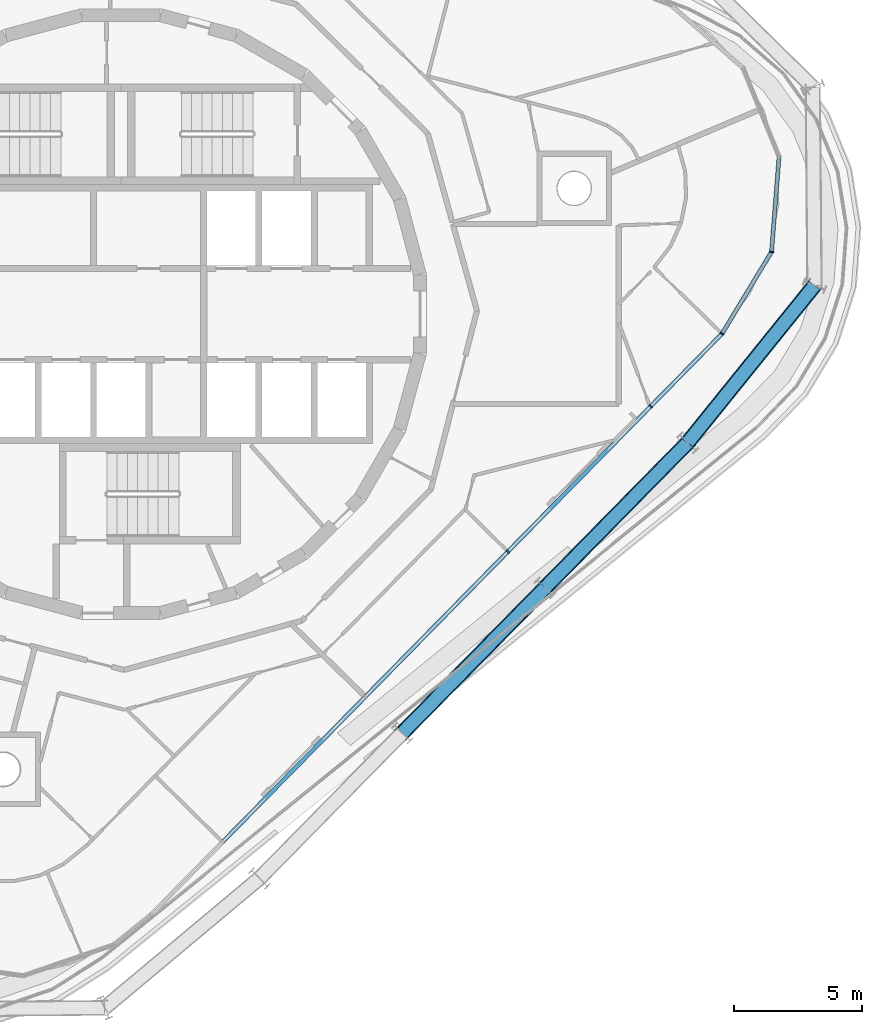
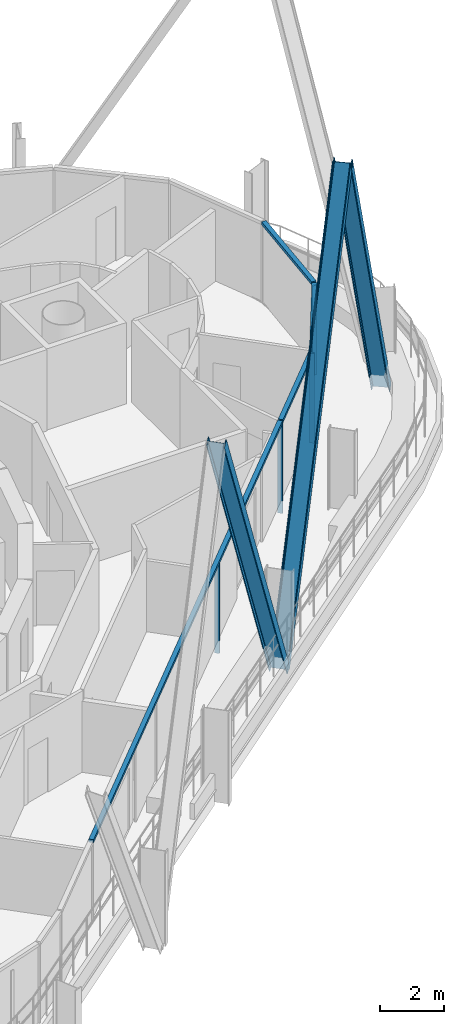
# One storey, part 4 of 18: 11 members, 2 elements without a shape of their own.
"""IFC4 building model written with IfcOpenShell, lengths in metres."""

from ifc_helpers import new_model, si_unit, direction, frame, origin, origin_2d, place, context, subcontext, project, spatial, rectangle, i_section, extrude, material, layer, layer_set, material_profile, profile_set, type_object, element, aggregate, save


model = new_model("IFC4")

# Units and contexts
model_context = context("Model", 3, precision=1e-05, world=origin(), true_north=direction((0.0, 1.0)))
body_context = subcontext(model_context, "Body", "Model", "MODEL_VIEW")
ifc_project = project(units=[si_unit("LENGTHUNIT", "METRE"), si_unit("AREAUNIT", "SQUARE_METRE"), si_unit("VOLUMEUNIT", "CUBIC_METRE"), si_unit("PLANEANGLEUNIT", "RADIAN"), si_unit("MASSUNIT", "GRAM", prefix="KILO")], contexts=[model_context])

# Site, building, storey
site_placement = place(None, origin())
site = spatial("IfcSite", under=ifc_project, at=site_placement, CompositionType="ELEMENT")
building_placement = place(site_placement, origin())
building = spatial("IfcBuilding", under=site, at=building_placement, Name="Spindle Arch Residences", CompositionType="ELEMENT")
storey_placement = place(building_placement, frame((0.0, 0.0, 298.199951171875)))
storey = spatial("IfcBuildingStorey", under=building, at=storey_placement, Name="L76", CompositionType="ELEMENT", Elevation=298.199951171875)

# Curtain wall, members
ifc_material_1 = material(Name="Aluminium bronze unitised frame with tinted glass", Category="aluminium")
ifc_layer_1 = layer(ifc_material_1, 0.159912109375)
ifc_layer_set_1 = layer_set([ifc_layer_1], Name="CW-D corner wall on the fillet arcs")
curtain_wall_type_1 = type_object("IfcCurtainWallType", Name="CW-D corner wall on the fillet arcs", PredefinedType="NOTDEFINED", material=ifc_layer_set_1)
curtain_wall_1_placement = place(storey_placement, origin())
curtain_wall_1 = element("IfcCurtainWall", 1, at=curtain_wall_1_placement, inside=storey, type_object=curtain_wall_type_1, Name="CW-D L76 run 1", PredefinedType="NOTDEFINED")
ifc_material_2 = material(Name="Aluminium bronze anodised mullion", Category="aluminium")
ifc_material_profile_1 = material_profile(ifc_material_2, rectangle(XDim=0.159912109375, YDim=0.06005859375, at=origin_2d()), Name="MU 60x160")
ifc_profile_set_1 = profile_set([ifc_material_profile_1], Name="Aluminium bronze anodised mullion")
member_type_1 = type_object("IfcMemberType", Name="Bronze mullion 60x160", PredefinedType="MULLION", material=ifc_profile_set_1)
member_1_placement = place(storey_placement, frame((20.642333984375, -3.597412109375, -0.449951171875), z_axis=(0.0, 0.0, 1.0), x_axis=(-0.713250449154, 0.7009092643, 0.0)))
member_1 = element("IfcMember", 2, at=member_1_placement, type_object=member_type_1, Name="CW-D mullion 00", PredefinedType="MULLION", context=body_context, shape_type="SweptSolid", body=[
    extrude(rectangle(XDim=0.159912109375, YDim=0.06005859375, at=origin_2d()), origin(), (0.0, 0.0, 1.0), 3.449951171875),
])
member_2_placement = place(storey_placement, frame((23.42578125, -0.76513671875, -0.449951171875), z_axis=(0.0, 0.0, 1.0), x_axis=(-0.855665492936, 0.517529288252, 0.0)))
member_2 = element("IfcMember", 3, at=member_2_placement, type_object=member_type_1, Name="CW-D mullion 01", PredefinedType="MULLION", context=body_context, shape_type="SweptSolid", body=[
    extrude(rectangle(XDim=0.159912109375, YDim=0.06005859375, at=origin_2d()), origin(), (0.0, 0.0, 1.0), 3.449951171875),
])
member_3_placement = place(storey_placement, frame((25.3544921875, 2.423828125, -0.449951171875), z_axis=(0.0, 0.0, 1.0), x_axis=(-0.996917334032, 0.078459091935, 0.0)))
member_3 = element("IfcMember", 4, at=member_3_placement, type_object=member_type_1, Name="CW-D mullion 02", PredefinedType="MULLION", context=body_context, shape_type="SweptSolid", body=[
    extrude(rectangle(XDim=0.159912109375, YDim=0.06005859375, at=origin_2d()), origin(), (0.0, 0.0, 1.0), 3.449951171875),
])

# Curtain wall, member
ifc_material_3 = material(Name="Aluminium bronze unitised frame with tinted glass", Category="aluminium")
ifc_layer_2 = layer(ifc_material_3, 0.159912109375)
ifc_layer_set_2 = layer_set([ifc_layer_2], Name="CW-C typical residential unitised wall")
curtain_wall_type_2 = type_object("IfcCurtainWallType", Name="CW-C typical residential unitised wall", PredefinedType="NOTDEFINED", material=ifc_layer_set_2)
curtain_wall_2_placement = place(storey_placement, origin())
curtain_wall_2 = element("IfcCurtainWall", 5, at=curtain_wall_2_placement, inside=storey, type_object=curtain_wall_type_2, Name="CW-C L76 run 6", PredefinedType="NOTDEFINED")
member_4_placement = place(storey_placement, frame((15.08056640625, -9.257080078125, -0.449951171875), z_axis=(0.0, 0.0, 1.0), x_axis=(-0.713250449154, 0.7009092643, 0.0)))
member_4 = element("IfcMember", 6, at=member_4_placement, type_object=member_type_1, Name="CW-C mullion 00", PredefinedType="MULLION", context=body_context, shape_type="SweptSolid", body=[
    extrude(rectangle(XDim=0.159912109375, YDim=0.06005859375, at=origin_2d()), origin(), (0.0, 0.0, 1.0), 3.449951171875),
])

# Member
ifc_material_4 = material(Name="Aluminium bronze anodised transom", Category="aluminium")
ifc_material_profile_2 = material_profile(ifc_material_4, rectangle(XDim=0.159912109375, YDim=0.1201171875, at=origin_2d()), Name="TR 120x160")
ifc_profile_set_2 = profile_set([ifc_material_profile_2], Name="Aluminium bronze anodised transom")
member_type_2 = type_object("IfcMemberType", Name="Bronze transom 120x160", PredefinedType="USERDEFINED", material=ifc_profile_set_2)
member_5_placement = place(storey_placement, frame((20.663330078125, -3.575927734375, 3.06005859375), z_axis=(0.70089977121, 0.713259777863, 0.0), x_axis=(-0.713259777863, 0.70089977121, 0.0)))
member_5 = element("IfcMember", 7, at=member_5_placement, type_object=member_type_2, Name="CW-D transom 00", ObjectType="TRANSOM", PredefinedType="USERDEFINED", context=body_context, shape_type="SweptSolid", body=[
    extrude(rectangle(XDim=0.159912109375, YDim=0.1201171875, at=origin_2d()), origin(), (0.0, 0.0, 1.0), 3.910888671875),
])

member_6_placement = place(storey_placement, frame((23.441162109375, -0.739501953125, 3.06005859375), z_axis=(0.517517977751, 0.855672333726, 0.0), x_axis=(-0.855672333726, 0.517517977751, 0.0)))
member_6 = element("IfcMember", 8, at=member_6_placement, type_object=member_type_2, Name="CW-D transom 01", ObjectType="TRANSOM", PredefinedType="USERDEFINED", context=body_context, shape_type="SweptSolid", body=[
    extrude(rectangle(XDim=0.159912109375, YDim=0.1201171875, at=origin_2d()), origin(), (0.0, 0.0, 1.0), 3.6669921875),
])

member_7_placement = place(storey_placement, frame((25.356689453125, 2.45361328125, 3.06005859375), z_axis=(0.078498754798, 0.996914211703, 0.0), x_axis=(-0.996914211703, 0.078498754798, 0.0)))
member_7 = element("IfcMember", 9, at=member_7_placement, type_object=member_type_2, Name="CW-D transom 02", ObjectType="TRANSOM", PredefinedType="USERDEFINED", context=body_context, shape_type="SweptSolid", body=[
    extrude(rectangle(XDim=0.159912109375, YDim=0.1201171875, at=origin_2d()), origin(), (0.0, 0.0, 1.0), 3.666748046875),
])

aggregate(curtain_wall_1, [member_1, member_5, member_2, member_6, member_3, member_7])

member_8_placement = place(storey_placement, frame((3.97802734375, -20.55517578125, 3.06005859375), z_axis=(0.700905736119, 0.71325391627, 0.0), x_axis=(-0.71325391627, 0.700905736119, 0.0)))
member_8 = element("IfcMember", 10, at=member_8_placement, type_object=member_type_2, Name="CW-C transom 00", ObjectType="TRANSOM", PredefinedType="USERDEFINED", context=body_context, shape_type="SweptSolid", body=[
    extrude(rectangle(XDim=0.159912109375, YDim=0.1201171875, at=origin_2d()), origin(), (0.0, 0.0, 1.0), 23.745361328125),
])

aggregate(curtain_wall_2, [member_8, member_4])

# Members
ifc_material_5 = material(Name="Steel S460ML, intumescent coating R 240", Category="steel")
ifc_material_profile_3 = material_profile(ifc_material_5, i_section(OverallWidth=0.300048828125, OverallDepth=0.60009765625, WebThickness=0.015380859375, FlangeThickness=0.030029296875, FilletRadius=0.027099609375, at=origin_2d()), Name="HEB 600")
ifc_profile_set_3 = profile_set([ifc_material_profile_3], Name="Steel S460ML, intumescent coating R 240")
member_type_3 = type_object("IfcMemberType", Name="Diagrid diagonal HEB 600", PredefinedType="BRACE", material=ifc_profile_set_3)
member_9_placement = place(storey_placement, frame((16.521484375, -10.6728515625, -0.699951171875), z_axis=(0.344309676253, 0.350370348751, 0.871028969411), x_axis=(-0.610513801716, -0.621260302505, 0.491231650493)))
element("IfcMember", 11, at=member_9_placement, inside=storey, type_object=member_type_3, Name="Diagrid diagonal 8.1.1", PredefinedType="BRACE", context=body_context, shape_type="SweptSolid", body=[
    extrude(i_section(OverallWidth=0.300048828125, OverallDepth=0.60009765625, WebThickness=0.015380859375, FlangeThickness=0.030029296875, FilletRadius=0.027099609375, at=origin_2d()), origin(), (0.0, 0.0, 1.0), 16.1533203125),
])
member_10_placement = place(storey_placement, frame((27.0263671875, 1.11279296875, -0.699951171875), z_axis=(-0.306600976279, -0.379968968084, 0.872708098185), x_axis=(0.548033501058, 0.679175018943, 0.48824233262)))
element("IfcMember", 12, at=member_10_placement, inside=storey, type_object=member_type_3, Name="Diagrid diagonal 8.1.2", PredefinedType="BRACE", context=body_context, shape_type="SweptSolid", body=[
    extrude(i_section(OverallWidth=0.300048828125, OverallDepth=0.60009765625, WebThickness=0.015380859375, FlangeThickness=0.030029296875, FilletRadius=0.027099609375, at=origin_2d()), origin(), (0.0, 0.0, 1.0), 16.122314453125),
])
member_11_placement = place(storey_placement, frame((16.521484375, -10.6728515625, -0.699951171875), z_axis=(-0.344309676253, -0.350370348751, 0.871028969411), x_axis=(0.610513801716, 0.621260302505, 0.491231650493)))
element("IfcMember", 13, at=member_11_placement, inside=storey, type_object=member_type_3, Name="Diagrid diagonal 8.1.20", PredefinedType="BRACE", context=body_context, shape_type="SweptSolid", body=[
    extrude(i_section(OverallWidth=0.300048828125, OverallDepth=0.60009765625, WebThickness=0.015380859375, FlangeThickness=0.030029296875, FilletRadius=0.027099609375, at=origin_2d()), origin(), (0.0, 0.0, 1.0), 16.1533203125),
])

save(model, "model.ifc")
